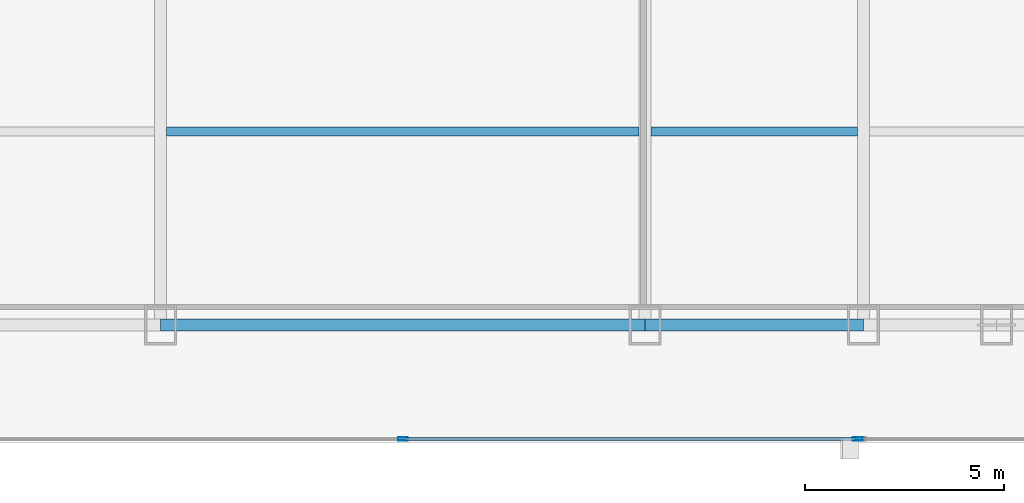
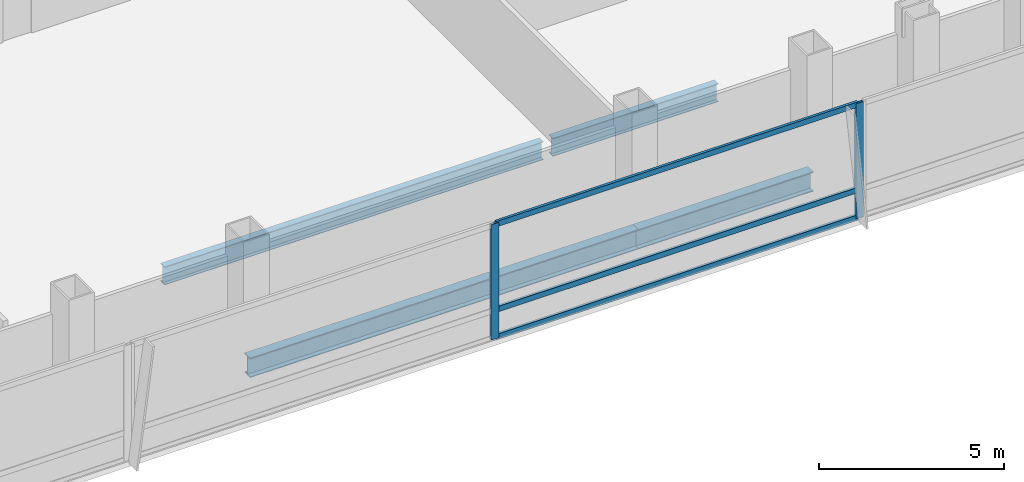
# One storey, part 12 of 33: 5 members, 4 beams, 1 element without a shape of its own.
"""IFC4 building model written with IfcOpenShell, lengths in metres."""

from ifc_helpers import new_model, si_unit, direction, frame, origin, origin_2d, place, context, subcontext, project, spatial, hollow_rectangle, i_section, extrude, material, material_profile, profile_set, type_object, element, aggregate, save


model = new_model("IFC4")

# Units and contexts
model_context = context("Model", 3, precision=1e-05, world=origin(), true_north=direction((0.0, 1.0)))
body_context = subcontext(model_context, "Body", "Model", "MODEL_VIEW")
ifc_project = project(units=[si_unit("LENGTHUNIT", "METRE"), si_unit("AREAUNIT", "SQUARE_METRE"), si_unit("VOLUMEUNIT", "CUBIC_METRE"), si_unit("PLANEANGLEUNIT", "RADIAN"), si_unit("MASSUNIT", "GRAM", prefix="KILO")], contexts=[model_context])

# Site, building, storey
site_placement = place(None, origin())
site = spatial("IfcSite", under=ifc_project, at=site_placement, CompositionType="ELEMENT")
building_placement = place(site_placement, origin())
building = spatial("IfcBuilding", under=site, at=building_placement, Name="Khoronbel Lancet Exchange", CompositionType="ELEMENT")
storey_placement = place(building_placement, frame((0.0, 0.0, 33.800048828125)))
storey = spatial("IfcBuildingStorey", under=building, at=storey_placement, Name="L07", CompositionType="ELEMENT", Elevation=33.800048828125)

# Beams
ifc_material_1 = material(Name="Steel S355", Category="steel")
ifc_material_profile_1 = material_profile(ifc_material_1, i_section(OverallWidth=0.219970703125, OverallDepth=0.60009765625, WebThickness=0.011962890625, FlangeThickness=0.01904296875, at=origin_2d()), Name="IPE 600")
ifc_profile_set_1 = profile_set([ifc_material_profile_1], Name="Steel S355")
beam_type_1 = type_object("IfcBeamType", Name="BM-BJ1", PredefinedType="JOIST", material=ifc_profile_set_1)
beam_1_placement = place(storey_placement, frame((30.52490234375, 15.0, -0.47998046875), z_axis=(1.0, 0.0, 0.0), x_axis=(0.0, 1.0, 0.0)))
element("IfcBeam", 1, at=beam_1_placement, inside=storey, type_object=beam_type_1, Name="Level L07 secondary composite joist J03", PredefinedType="JOIST", context=body_context, shape_type="SweptSolid", body=[
    extrude(i_section(OverallWidth=0.219970703125, OverallDepth=0.60009765625, WebThickness=0.011962890625, FlangeThickness=0.01904296875, at=origin_2d()), origin(), (0.0, 0.0, 1.0), 11.85009765625),
])
beam_2_placement = place(storey_placement, frame((42.675048828125, 15.0, -0.47998046875), z_axis=(1.0, 0.0, 0.0), x_axis=(0.0, 1.0, 0.0)))
element("IfcBeam", 2, at=beam_2_placement, inside=storey, type_object=beam_type_1, Name="Level L07 secondary composite joist J04", PredefinedType="JOIST", context=body_context, shape_type="SweptSolid", body=[
    extrude(i_section(OverallWidth=0.219970703125, OverallDepth=0.60009765625, WebThickness=0.011962890625, FlangeThickness=0.01904296875, at=origin_2d()), origin(), (0.0, 0.0, 1.0), 5.175048828125),
])
ifc_material_profile_2 = material_profile(ifc_material_1, i_section(OverallWidth=0.300048828125, OverallDepth=0.64990234375, WebThickness=0.01611328125, FlangeThickness=0.031005859375, at=origin_2d()), Name="HEB 650")
ifc_profile_set_2 = profile_set([ifc_material_profile_2], Name="Steel S355")
beam_type_2 = type_object("IfcBeamType", Name="BM-BSP1", PredefinedType="SPANDREL", material=ifc_profile_set_2)
beam_3_placement = place(storey_placement, frame((30.375, 10.14990234375, -0.505126953125), z_axis=(1.0, 0.0, 0.0), x_axis=(0.0, 1.0, 0.0)))
element("IfcBeam", 3, at=beam_3_placement, inside=storey, type_object=beam_type_2, Name="Level L07 perimeter spandrel beam SP05", PredefinedType="SPANDREL", context=body_context, shape_type="SweptSolid", body=[
    extrude(i_section(OverallWidth=0.300048828125, OverallDepth=0.64990234375, WebThickness=0.01611328125, FlangeThickness=0.031005859375, at=origin_2d()), origin(), (0.0, 0.0, 1.0), 12.14990234375),
])
beam_4_placement = place(storey_placement, frame((42.52490234375, 10.14990234375, -0.505126953125), z_axis=(1.0, 0.0, 0.0), x_axis=(0.0, 1.0, 0.0)))
element("IfcBeam", 4, at=beam_4_placement, inside=storey, type_object=beam_type_2, Name="Level L07 perimeter spandrel beam SP06", PredefinedType="SPANDREL", context=body_context, shape_type="SweptSolid", body=[
    extrude(i_section(OverallWidth=0.300048828125, OverallDepth=0.64990234375, WebThickness=0.01611328125, FlangeThickness=0.031005859375, at=origin_2d()), origin(), (0.0, 0.0, 1.0), 5.47509765625),
])

# Curtain wall, members
ifc_material_2 = material(Name="Low-E Solar Control Insulating Glass", Category="glass")
curtain_wall_type = type_object("IfcCurtainWallType", Name="CW-1", PredefinedType="NOTDEFINED", material=ifc_material_2)
curtain_wall_placement = place(storey_placement, origin())
curtain_wall = element("IfcCurtainWall", 5, at=curtain_wall_placement, inside=storey, type_object=curtain_wall_type, Name="Unitised curtain wall CW-L07-SCV", PredefinedType="NOTDEFINED")
ifc_material_3 = material(Name="Bronze-Anodised Aluminium 6063-T6", Category="aluminium")
ifc_material_profile_3 = material_profile(ifc_material_3, hollow_rectangle(XDim=0.0849609375, YDim=0.239990234375, WallThickness=0.006103515625, at=origin_2d()), Name="ALU MULLION 85x240")
ifc_profile_set_3 = profile_set([ifc_material_profile_3], Name="Bronze-Anodised Aluminium 6063-T6")
member_type_1 = type_object("IfcMemberType", Name="MEM-CWM1", PredefinedType="MULLION", material=ifc_profile_set_3)
member_1_placement = place(storey_placement, frame((36.449951171875, 7.2900390625, 0.0), z_axis=(0.0, 0.0, 1.0), x_axis=(0.0, 1.0, 0.0)))
member_1 = element("IfcMember", 6, at=member_1_placement, type_object=member_type_1, Name="CW1 mullion 2", PredefinedType="MULLION", context=body_context, shape_type="SweptSolid", body=[
    extrude(hollow_rectangle(XDim=0.0849609375, YDim=0.239990234375, WallThickness=0.006103515625, at=origin_2d()), origin(), (0.0, 0.0, 1.0), 3.820068359375),
])
member_2_placement = place(storey_placement, frame((47.857421875, 7.2900390625, 0.0), z_axis=(0.0, 0.0, 1.0), x_axis=(0.0, 1.0, 0.0)))
member_2 = element("IfcMember", 7, at=member_2_placement, type_object=member_type_1, Name="CW1 mullion 3", PredefinedType="MULLION", context=body_context, shape_type="SweptSolid", body=[
    extrude(hollow_rectangle(XDim=0.0849609375, YDim=0.239990234375, WallThickness=0.006103515625, at=origin_2d()), origin(), (0.0, 0.0, 1.0), 3.820068359375),
])
ifc_material_profile_4 = material_profile(ifc_material_3, hollow_rectangle(XDim=0.0849609375, YDim=0.179931640625, WallThickness=0.0048828125, at=origin_2d()), Name="ALU TRANSOM 85x180")
ifc_profile_set_4 = profile_set([ifc_material_profile_4], Name="Bronze-Anodised Aluminium 6063-T6")
member_type_2 = type_object("IfcMemberType", Name="MEM-CWT1", PredefinedType="USERDEFINED", material=ifc_profile_set_4)
member_3_placement = place(storey_placement, frame((36.492431640625, 7.2900390625, 0.04248046875), z_axis=(1.0, 0.0, 0.0), x_axis=(0.0, 1.0, 0.0)))
member_3 = element("IfcMember", 8, at=member_3_placement, type_object=member_type_2, Name="CW1 transom 2.1", ObjectType="TRANSOM", PredefinedType="USERDEFINED", context=body_context, shape_type="SweptSolid", body=[
    extrude(hollow_rectangle(XDim=0.0849609375, YDim=0.179931640625, WallThickness=0.0048828125, at=origin_2d()), origin(), (0.0, 0.0, 1.0), 11.322509765625),
])
member_4_placement = place(storey_placement, frame((36.492431640625, 7.2900390625, 0.949951171875), z_axis=(1.0, 0.0, 0.0), x_axis=(0.0, 1.0, 0.0)))
member_4 = element("IfcMember", 9, at=member_4_placement, type_object=member_type_2, Name="CW1 transom 2.2", ObjectType="TRANSOM", PredefinedType="USERDEFINED", context=body_context, shape_type="SweptSolid", body=[
    extrude(hollow_rectangle(XDim=0.0849609375, YDim=0.179931640625, WallThickness=0.0048828125, at=origin_2d()), origin(), (0.0, 0.0, 1.0), 11.322509765625),
])
member_5_placement = place(storey_placement, frame((36.492431640625, 7.2900390625, 3.77734375), z_axis=(1.0, 0.0, 0.0), x_axis=(0.0, 1.0, 0.0)))
member_5 = element("IfcMember", 10, at=member_5_placement, type_object=member_type_2, Name="CW1 transom 2.3", ObjectType="TRANSOM", PredefinedType="USERDEFINED", context=body_context, shape_type="SweptSolid", body=[
    extrude(hollow_rectangle(XDim=0.0849609375, YDim=0.179931640625, WallThickness=0.0048828125, at=origin_2d()), origin(), (0.0, 0.0, 1.0), 11.322509765625),
])
aggregate(curtain_wall, [member_1, member_2, member_3, member_4, member_5])

save(model, "model.ifc")
